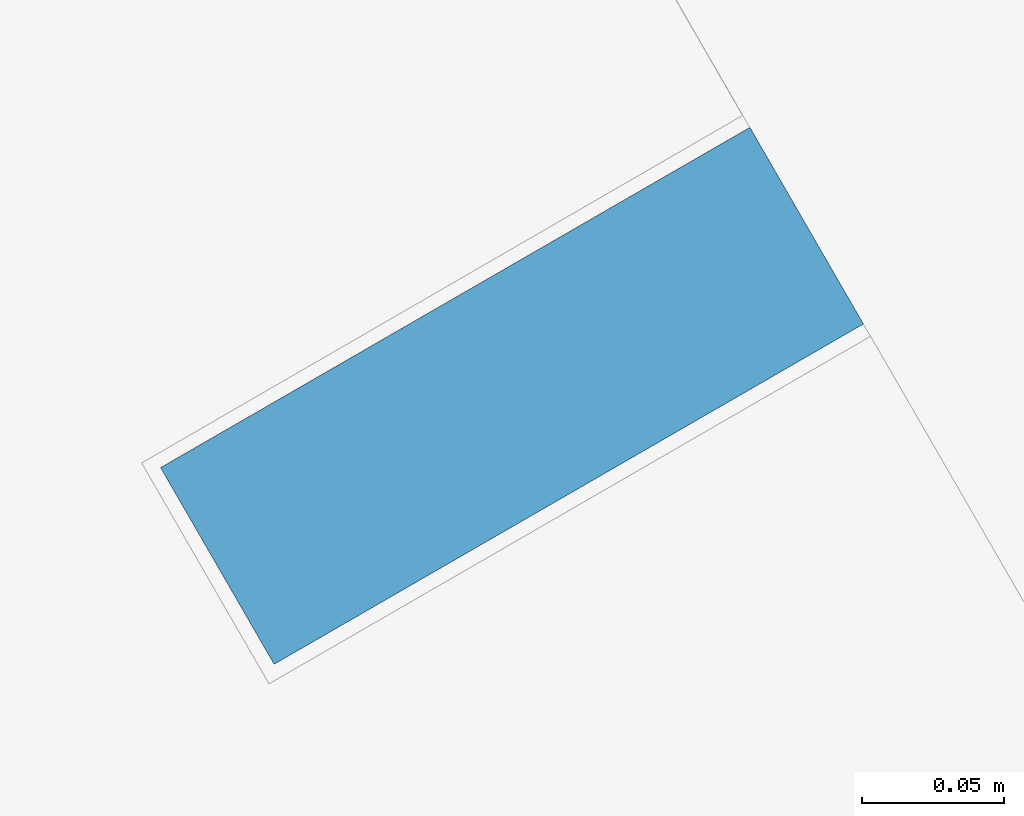
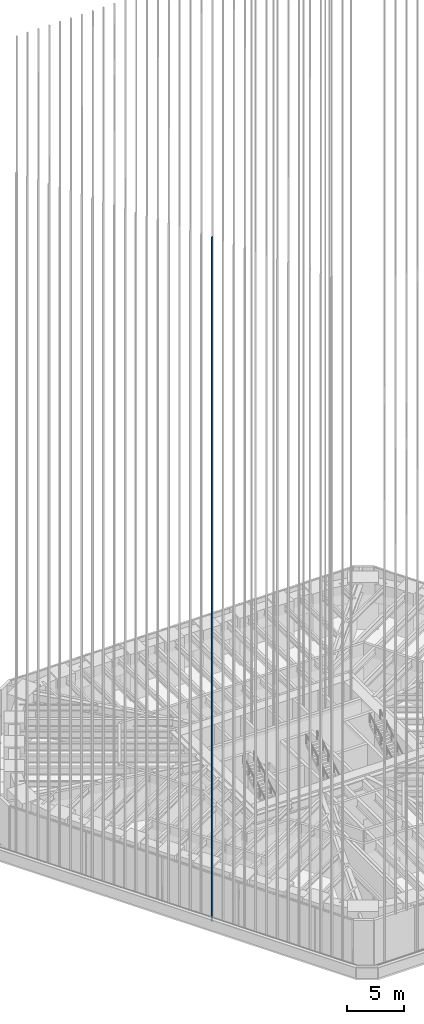
# One storey, part 14 of 228: 1 member, 1 element without a shape of its own.
"""IFC4 building model written with IfcOpenShell, lengths in metres."""

from ifc_helpers import new_model, si_unit, direction, frame, origin, origin_2d, place, context, subcontext, project, spatial, rectangle, extrude, material, material_profile, profile_set, type_object, element, aggregate, save


model = new_model("IFC4")

# Units and contexts
model_context = context("Model", 3, precision=1e-05, world=origin(), true_north=direction((0.0, 1.0)))
body_context = subcontext(model_context, "Body", "Model", "MODEL_VIEW")
ifc_project = project(units=[si_unit("LENGTHUNIT", "METRE"), si_unit("AREAUNIT", "SQUARE_METRE"), si_unit("VOLUMEUNIT", "CUBIC_METRE"), si_unit("PLANEANGLEUNIT", "RADIAN"), si_unit("MASSUNIT", "GRAM", prefix="KILO")], contexts=[model_context])

# Site, building, storey
site_placement = place(None, origin())
site = spatial("IfcSite", under=ifc_project, at=site_placement, CompositionType="ELEMENT")
building_placement = place(site_placement, origin())
building = spatial("IfcBuilding", under=site, at=building_placement, Name="Sandreach Pilgrim Tower", CompositionType="ELEMENT")
storey_placement = place(building_placement, frame((0.0, 0.0, 178.199951171875)))
storey = spatial("IfcBuildingStorey", under=building, at=storey_placement, Name="L44", CompositionType="ELEMENT", Elevation=178.199951171875)

# Curtain wall, member
ifc_material_1 = material(Name="Aluminium framed curtain wall", Category="aluminium")
curtain_wall_type = type_object("IfcCurtainWallType", Name="Upper hotel tower curtain wall", PredefinedType="NOTDEFINED", material=ifc_material_1)
curtain_wall_placement = place(storey_placement, origin())
curtain_wall = element("IfcCurtainWall", 1, at=curtain_wall_placement, inside=storey, type_object=curtain_wall_type, Name="CW-3 L44 SW", PredefinedType="NOTDEFINED")
ifc_material_2 = material(Name="Extruded terracotta on aluminium core", Category="masonry")
ifc_material_profile = material_profile(ifc_material_2, rectangle(XDim=0.080078125, YDim=0.239990234375, at=origin_2d()), Name="TBW 80X240")
ifc_profile_set = profile_set([ifc_material_profile], Name="Extruded terracotta on aluminium core")
member_type = type_object("IfcMemberType", Name="Terracotta baguette west", PredefinedType="USERDEFINED", material=ifc_profile_set)
member_placement = place(storey_placement, frame((-17.035888671875, -13.653076171875, 0.0), z_axis=(0.0, 0.0, 1.0), x_axis=(-0.5, 0.866025403784, 0.0)))
member = element("IfcMember", 2, at=member_placement, type_object=member_type, Name="Baguette Z3 SW13", ObjectType="BAGUETTE", PredefinedType="USERDEFINED", context=body_context, shape_type="SweptSolid", body=[
    extrude(rectangle(XDim=0.080078125, YDim=0.239990234375, at=origin_2d()), origin(), (0.0, 0.0, 1.0), 73.239990234375),
])
aggregate(curtain_wall, [member])

save(model, "model.ifc")
